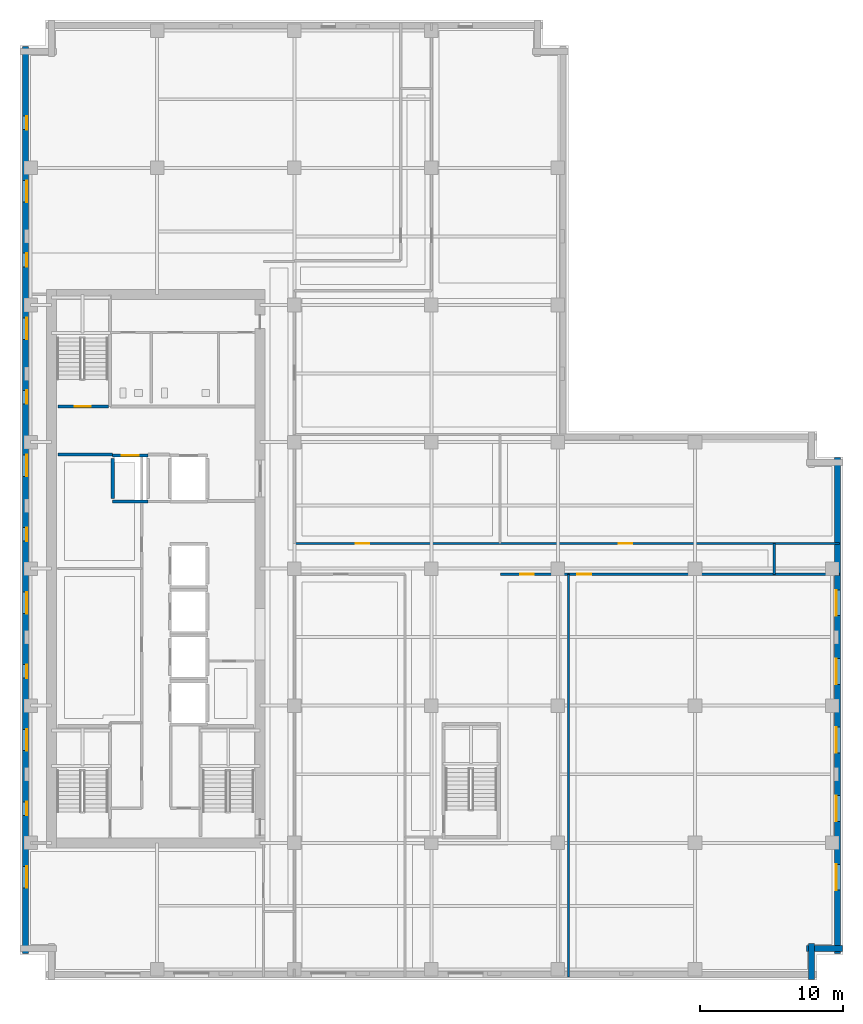
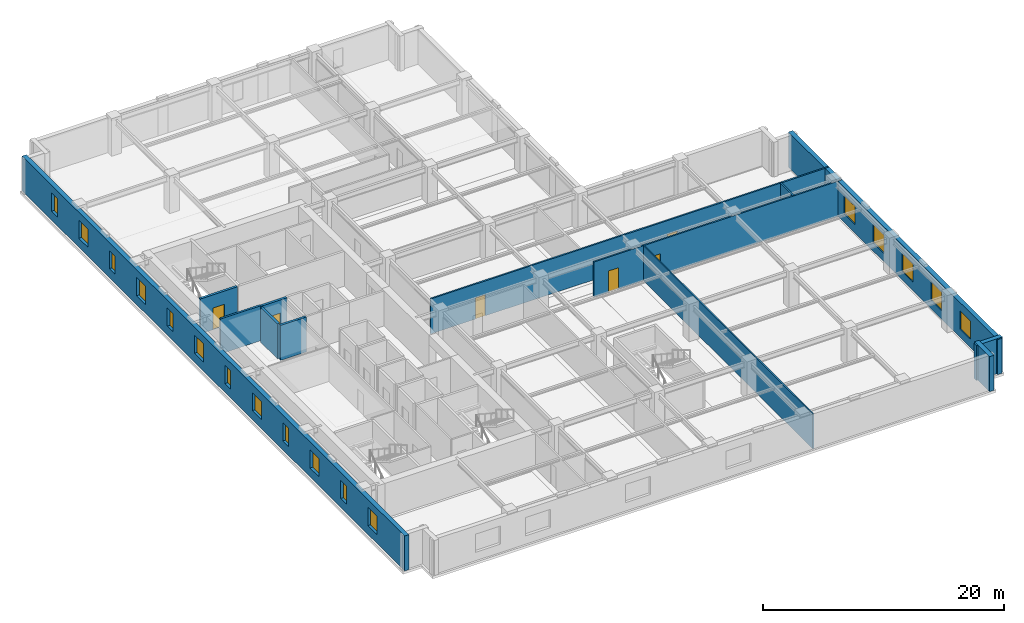
# One storey, part 5 of 12: 17 windows, 13 walls, 6 doors, 23 openings.
"""IFC4 building model written with IfcOpenShell, lengths in metres."""

from ifc_helpers import new_model, si_unit, direction, frame, frame_2d, origin, place, context, subcontext, project, spatial, rectangle, extrude, material, layer, layer_set, type_object, element, fill, save


model = new_model("IFC4")

# Units and contexts
model_context = context("Model", 3, precision=1e-05, world=origin(), true_north=direction((0.0, 1.0)))
body_context = subcontext(model_context, "Body", "Model", "MODEL_VIEW")
ifc_project = project(units=[si_unit("LENGTHUNIT", "METRE"), si_unit("AREAUNIT", "SQUARE_METRE"), si_unit("VOLUMEUNIT", "CUBIC_METRE"), si_unit("PLANEANGLEUNIT", "RADIAN"), si_unit("MASSUNIT", "GRAM", prefix="KILO")], contexts=[model_context])

# Site, building, storey
site_placement = place(None, origin())
site = spatial("IfcSite", under=ifc_project, at=site_placement, CompositionType="ELEMENT")
building_placement = place(site_placement, origin())
building = spatial("IfcBuilding", under=site, at=building_placement, Name="Norrvale University Quadrangle", CompositionType="ELEMENT")
storey_placement = place(building_placement, frame((0.0, 0.0, 186.39990234375)))
storey = spatial("IfcBuildingStorey", under=building, at=storey_placement, Name="L47", CompositionType="ELEMENT", Elevation=186.39990234375)

# Walls
ifc_material_1 = material(Name="Buff Norman Clay Brick Masonry", Category="masonry")
ifc_layer_1 = layer(ifc_material_1, 0.419921875, Name="Buff Norman Clay Brick Masonry")
ifc_layer_set_1 = layer_set([ifc_layer_1], Name="Buff Norman Clay Brick Masonry")
wall_type_1 = type_object("IfcWallType", Name="Wall Buff Brick 420", PredefinedType="SOLIDWALL", material=ifc_layer_set_1)
for number, where, z_axis, x_axis, name in (
    (1, (55.409912109375, 0.0400390625, 0.0), (0.0, 0.0, 1.0), (0.0, 1.0, 0.0), "Exterior Brick Facade Wall L47-02.1"),
    (2, (55.06005859375, 2.18994140625, 0.0), (0.0, 0.0, 1.0), (1.0, 0.0, 0.0), "Exterior Brick Facade Wall L47-03.1"),
):
    element("IfcWall", number, at=place(storey_placement, frame(where, z_axis=z_axis, x_axis=x_axis)), inside=storey, type_object=wall_type_1, Name=name, PredefinedType="SOLIDWALL", context=body_context, shape_type="SweptSolid", body=[
        extrude(rectangle(XDim=2.5, YDim=0.419921875, at=frame_2d((1.25, 0.0))), origin(), (0.0, 0.0, 1.0), 3.5400390625),
    ])

# Wall, openings, windows
wall_1_placement = place(storey_placement, frame((57.2099609375, 1.840087890625, 0.0), z_axis=(0.0, 0.0, 1.0), x_axis=(0.0, 1.0, 0.0)))
wall_1 = element("IfcWall", 3, at=wall_1_placement, inside=storey, type_object=wall_type_1, Name="Exterior Brick Facade Wall L47-04.1", PredefinedType="SOLIDWALL", context=body_context, shape_type="SweptSolid", body=[
    extrude(rectangle(XDim=34.719970703125, YDim=0.419921875, at=frame_2d((17.35986328125, 0.0))), origin(), (0.0, 0.0, 1.0), 3.5400390625),
])
opening_1_placement = place(wall_1_placement, frame((4.4599609375, 0.0, 0.85009765625)))
opening_1 = element("IfcOpeningElement", 4, at=opening_1_placement, cuts=wall_1, Name="Opening W01", PredefinedType="OPENING", context=body_context, shape_type="SweptSolid", body=[
    extrude(rectangle(XDim=1.800048828125, YDim=1.85009765625, at=frame_2d((0.89990234375, 0.925048828125))), frame((0.0, 0.221923828125, 0.0), z_axis=(0.0, -1.0, 0.0), x_axis=(1.0, 0.0, 0.0)), (0.0, 0.0, 1.0), 0.44384765625),
])
opening_2_placement = place(wall_1_placement, frame((9.260009765625, 0.0, 0.85009765625)))
opening_2 = element("IfcOpeningElement", 5, at=opening_2_placement, cuts=wall_1, Name="Opening W01", PredefinedType="OPENING", context=body_context, shape_type="SweptSolid", body=[
    extrude(rectangle(XDim=1.800048828125, YDim=1.85009765625, at=frame_2d((0.89990234375, 0.925048828125))), frame((0.0, 0.221923828125, 0.0), z_axis=(0.0, -1.0, 0.0), x_axis=(1.0, 0.0, 0.0)), (0.0, 0.0, 1.0), 0.44384765625),
])
opening_3_placement = place(wall_1_placement, frame((14.06005859375, 0.0, 0.85009765625)))
opening_3 = element("IfcOpeningElement", 6, at=opening_3_placement, cuts=wall_1, Name="Opening W01", PredefinedType="OPENING", context=body_context, shape_type="SweptSolid", body=[
    extrude(rectangle(XDim=1.800048828125, YDim=1.85009765625, at=frame_2d((0.89990234375, 0.925048828125))), frame((0.0, 0.221923828125, 0.0), z_axis=(0.0, -1.0, 0.0), x_axis=(1.0, 0.0, 0.0)), (0.0, 0.0, 1.0), 0.44384765625),
])
opening_4_placement = place(wall_1_placement, frame((18.860107421875, 0.0, 0.85009765625)))
opening_4 = element("IfcOpeningElement", 7, at=opening_4_placement, cuts=wall_1, Name="Opening W01", PredefinedType="OPENING", context=body_context, shape_type="SweptSolid", body=[
    extrude(rectangle(XDim=1.800048828125, YDim=1.85009765625, at=frame_2d((0.89990234375, 0.925048828125))), frame((0.0, 0.221923828125, 0.0), z_axis=(0.0, -1.0, 0.0), x_axis=(1.0, 0.0, 0.0)), (0.0, 0.0, 1.0), 0.44384765625),
])
opening_5_placement = place(wall_1_placement, frame((23.659912109375, 0.0, 0.85009765625)))
opening_5 = element("IfcOpeningElement", 8, at=opening_5_placement, cuts=wall_1, Name="Opening W01", PredefinedType="OPENING", context=body_context, shape_type="SweptSolid", body=[
    extrude(rectangle(XDim=1.800048828125, YDim=1.85009765625, at=frame_2d((0.89990234375, 0.925048828125))), frame((0.0, 0.221923828125, 0.0), z_axis=(0.0, -1.0, 0.0), x_axis=(1.0, 0.0, 0.0)), (0.0, 0.0, 1.0), 0.44384765625),
])
ifc_material_2 = material(Name="Triple Low-E Argon Glazing", Category="glass")
window_type_1 = type_object("IfcWindowType", Name="Window Academic 1800x2300", PartitioningType="DOUBLE_PANEL_VERTICAL", PredefinedType="WINDOW", material=ifc_material_2)
window_1_placement = place(opening_1_placement, origin())
window_1 = element("IfcWindow", 9, at=window_1_placement, inside=storey, type_object=window_type_1, Name="Window Academic 1800x2300 WIN-L47-E04-1-01", OverallHeight=1.85009765625, OverallWidth=1.800048828125, PartitioningType="DOUBLE_PANEL_VERTICAL", PredefinedType="WINDOW", context=body_context, shape_type="SweptSolid", body=[
    extrude(rectangle(XDim=1.800048828125, YDim=1.85009765625, at=frame_2d((0.89990234375, 0.925048828125))), frame((0.0, 0.110107421875, 0.0), z_axis=(0.0, -1.0, 0.0), x_axis=(1.0, 0.0, 0.0)), (0.0, 0.0, 1.0), 0.06005859375),
])
fill(opening_1, window_1)
window_2_placement = place(opening_2_placement, origin())
window_2 = element("IfcWindow", 10, at=window_2_placement, inside=storey, type_object=window_type_1, Name="Window Academic 1800x2300 WIN-L47-E04-1-02", OverallHeight=1.85009765625, OverallWidth=1.800048828125, PartitioningType="DOUBLE_PANEL_VERTICAL", PredefinedType="WINDOW", context=body_context, shape_type="SweptSolid", body=[
    extrude(rectangle(XDim=1.800048828125, YDim=1.85009765625, at=frame_2d((0.89990234375, 0.925048828125))), frame((0.0, 0.110107421875, 0.0), z_axis=(0.0, -1.0, 0.0), x_axis=(1.0, 0.0, 0.0)), (0.0, 0.0, 1.0), 0.06005859375),
])
fill(opening_2, window_2)
window_3_placement = place(opening_3_placement, origin())
window_3 = element("IfcWindow", 11, at=window_3_placement, inside=storey, type_object=window_type_1, Name="Window Academic 1800x2300 WIN-L47-E04-1-03", OverallHeight=1.85009765625, OverallWidth=1.800048828125, PartitioningType="DOUBLE_PANEL_VERTICAL", PredefinedType="WINDOW", context=body_context, shape_type="SweptSolid", body=[
    extrude(rectangle(XDim=1.800048828125, YDim=1.85009765625, at=frame_2d((0.89990234375, 0.925048828125))), frame((0.0, 0.110107421875, 0.0), z_axis=(0.0, -1.0, 0.0), x_axis=(1.0, 0.0, 0.0)), (0.0, 0.0, 1.0), 0.06005859375),
])
fill(opening_3, window_3)
window_4_placement = place(opening_4_placement, origin())
window_4 = element("IfcWindow", 12, at=window_4_placement, inside=storey, type_object=window_type_1, Name="Window Academic 1800x2300 WIN-L47-E04-1-04", OverallHeight=1.85009765625, OverallWidth=1.800048828125, PartitioningType="DOUBLE_PANEL_VERTICAL", PredefinedType="WINDOW", context=body_context, shape_type="SweptSolid", body=[
    extrude(rectangle(XDim=1.800048828125, YDim=1.85009765625, at=frame_2d((0.89990234375, 0.925048828125))), frame((0.0, 0.110107421875, 0.0), z_axis=(0.0, -1.0, 0.0), x_axis=(1.0, 0.0, 0.0)), (0.0, 0.0, 1.0), 0.06005859375),
])
fill(opening_4, window_4)
window_5_placement = place(opening_5_placement, origin())
window_5 = element("IfcWindow", 13, at=window_5_placement, inside=storey, type_object=window_type_1, Name="Window Academic 1800x2300 WIN-L47-E04-1-05", OverallHeight=1.85009765625, OverallWidth=1.800048828125, PartitioningType="DOUBLE_PANEL_VERTICAL", PredefinedType="WINDOW", context=body_context, shape_type="SweptSolid", body=[
    extrude(rectangle(XDim=1.800048828125, YDim=1.85009765625, at=frame_2d((0.89990234375, 0.925048828125))), frame((0.0, 0.110107421875, 0.0), z_axis=(0.0, -1.0, 0.0), x_axis=(1.0, 0.0, 0.0)), (0.0, 0.0, 1.0), 0.06005859375),
])
fill(opening_5, window_5)

wall_2_placement = place(storey_placement, frame((0.389892578125, 65.360107421875, 0.0), z_axis=(0.0, 0.0, 1.0), x_axis=(0.0, -1.0, 0.0)))
wall_2 = element("IfcWall", 14, at=wall_2_placement, inside=storey, type_object=wall_type_1, Name="Exterior Brick Facade Wall L47-14.1", PredefinedType="SOLIDWALL", context=body_context, shape_type="SweptSolid", body=[
    extrude(rectangle(XDim=63.52001953125, YDim=0.419921875, at=frame_2d((31.760009765625, 0.0))), origin(), (0.0, 0.0, 1.0), 3.5400390625),
])
opening_6_placement = place(wall_2_placement, frame((4.885009765625, 0.0, 0.89990234375)))
opening_6 = element("IfcOpeningElement", 15, at=opening_6_placement, cuts=wall_2, Name="Opening W04", PredefinedType="OPENING", context=body_context, shape_type="SweptSolid", body=[
    extrude(rectangle(XDim=0.949951171875, YDim=1.85009765625, at=frame_2d((0.47509765625, 0.925048828125))), frame((0.0, 0.221923828125, 0.0), z_axis=(0.0, -1.0, 0.0), x_axis=(1.0, 0.0, 0.0)), (0.0, 0.0, 1.0), 0.44384765625),
])
opening_7_placement = place(wall_2_placement, frame((9.409912109375, 0.0, 0.89990234375)))
opening_7 = element("IfcOpeningElement", 16, at=opening_7_placement, cuts=wall_2, Name="Opening W03", PredefinedType="OPENING", context=body_context, shape_type="SweptSolid", body=[
    extrude(rectangle(XDim=1.5, YDim=1.85009765625, at=frame_2d((0.75, 0.925048828125))), frame((0.0, 0.221923828125, 0.0), z_axis=(0.0, -1.0, 0.0), x_axis=(1.0, 0.0, 0.0)), (0.0, 0.0, 1.0), 0.44384765625),
])
opening_8_placement = place(wall_2_placement, frame((14.485107421875, 0.0, 0.89990234375)))
opening_8 = element("IfcOpeningElement", 17, at=opening_8_placement, cuts=wall_2, Name="Opening W04", PredefinedType="OPENING", context=body_context, shape_type="SweptSolid", body=[
    extrude(rectangle(XDim=0.949951171875, YDim=1.85009765625, at=frame_2d((0.47509765625, 0.925048828125))), frame((0.0, 0.221923828125, 0.0), z_axis=(0.0, -1.0, 0.0), x_axis=(1.0, 0.0, 0.0)), (0.0, 0.0, 1.0), 0.44384765625),
])
opening_9_placement = place(wall_2_placement, frame((19.010009765625, 0.0, 0.89990234375)))
opening_9 = element("IfcOpeningElement", 18, at=opening_9_placement, cuts=wall_2, Name="Opening W03", PredefinedType="OPENING", context=body_context, shape_type="SweptSolid", body=[
    extrude(rectangle(XDim=1.5, YDim=1.85009765625, at=frame_2d((0.75, 0.925048828125))), frame((0.0, 0.221923828125, 0.0), z_axis=(0.0, -1.0, 0.0), x_axis=(1.0, 0.0, 0.0)), (0.0, 0.0, 1.0), 0.44384765625),
])
opening_10_placement = place(wall_2_placement, frame((24.0849609375, 0.0, 0.89990234375)))
opening_10 = element("IfcOpeningElement", 19, at=opening_10_placement, cuts=wall_2, Name="Opening W04", PredefinedType="OPENING", context=body_context, shape_type="SweptSolid", body=[
    extrude(rectangle(XDim=0.949951171875, YDim=1.85009765625, at=frame_2d((0.47509765625, 0.925048828125))), frame((0.0, 0.221923828125, 0.0), z_axis=(0.0, -1.0, 0.0), x_axis=(1.0, 0.0, 0.0)), (0.0, 0.0, 1.0), 0.44384765625),
])
opening_11_placement = place(wall_2_placement, frame((28.610107421875, 0.0, 0.89990234375)))
opening_11 = element("IfcOpeningElement", 20, at=opening_11_placement, cuts=wall_2, Name="Opening W03", PredefinedType="OPENING", context=body_context, shape_type="SweptSolid", body=[
    extrude(rectangle(XDim=1.5, YDim=1.85009765625, at=frame_2d((0.75, 0.925048828125))), frame((0.0, 0.221923828125, 0.0), z_axis=(0.0, -1.0, 0.0), x_axis=(1.0, 0.0, 0.0)), (0.0, 0.0, 1.0), 0.44384765625),
])
opening_12_placement = place(wall_2_placement, frame((33.68505859375, 0.0, 0.89990234375)))
opening_12 = element("IfcOpeningElement", 21, at=opening_12_placement, cuts=wall_2, Name="Opening W04", PredefinedType="OPENING", context=body_context, shape_type="SweptSolid", body=[
    extrude(rectangle(XDim=0.949951171875, YDim=1.85009765625, at=frame_2d((0.47509765625, 0.925048828125))), frame((0.0, 0.221923828125, 0.0), z_axis=(0.0, -1.0, 0.0), x_axis=(1.0, 0.0, 0.0)), (0.0, 0.0, 1.0), 0.44384765625),
])
opening_13_placement = place(wall_2_placement, frame((38.2099609375, 0.0, 0.89990234375)))
opening_13 = element("IfcOpeningElement", 22, at=opening_13_placement, cuts=wall_2, Name="Opening W03", PredefinedType="OPENING", context=body_context, shape_type="SweptSolid", body=[
    extrude(rectangle(XDim=1.5, YDim=1.85009765625, at=frame_2d((0.75, 0.925048828125))), frame((0.0, 0.221923828125, 0.0), z_axis=(0.0, -1.0, 0.0), x_axis=(1.0, 0.0, 0.0)), (0.0, 0.0, 1.0), 0.44384765625),
])
opening_14_placement = place(wall_2_placement, frame((43.284912109375, 0.0, 0.89990234375)))
opening_14 = element("IfcOpeningElement", 23, at=opening_14_placement, cuts=wall_2, Name="Opening W04", PredefinedType="OPENING", context=body_context, shape_type="SweptSolid", body=[
    extrude(rectangle(XDim=0.949951171875, YDim=1.85009765625, at=frame_2d((0.47509765625, 0.925048828125))), frame((0.0, 0.221923828125, 0.0), z_axis=(0.0, -1.0, 0.0), x_axis=(1.0, 0.0, 0.0)), (0.0, 0.0, 1.0), 0.44384765625),
])
opening_15_placement = place(wall_2_placement, frame((47.81005859375, 0.0, 0.89990234375)))
opening_15 = element("IfcOpeningElement", 24, at=opening_15_placement, cuts=wall_2, Name="Opening W03", PredefinedType="OPENING", context=body_context, shape_type="SweptSolid", body=[
    extrude(rectangle(XDim=1.5, YDim=1.85009765625, at=frame_2d((0.75, 0.925048828125))), frame((0.0, 0.221923828125, 0.0), z_axis=(0.0, -1.0, 0.0), x_axis=(1.0, 0.0, 0.0)), (0.0, 0.0, 1.0), 0.44384765625),
])
opening_16_placement = place(wall_2_placement, frame((52.885009765625, 0.0, 0.89990234375)))
opening_16 = element("IfcOpeningElement", 25, at=opening_16_placement, cuts=wall_2, Name="Opening W04", PredefinedType="OPENING", context=body_context, shape_type="SweptSolid", body=[
    extrude(rectangle(XDim=0.949951171875, YDim=1.85009765625, at=frame_2d((0.47509765625, 0.925048828125))), frame((0.0, 0.221923828125, 0.0), z_axis=(0.0, -1.0, 0.0), x_axis=(1.0, 0.0, 0.0)), (0.0, 0.0, 1.0), 0.44384765625),
])
opening_17_placement = place(wall_2_placement, frame((57.409912109375, 0.0, 0.89990234375)))
opening_17 = element("IfcOpeningElement", 26, at=opening_17_placement, cuts=wall_2, Name="Opening W03", PredefinedType="OPENING", context=body_context, shape_type="SweptSolid", body=[
    extrude(rectangle(XDim=1.5, YDim=1.85009765625, at=frame_2d((0.75, 0.925048828125))), frame((0.0, 0.221923828125, 0.0), z_axis=(0.0, -1.0, 0.0), x_axis=(1.0, 0.0, 0.0)), (0.0, 0.0, 1.0), 0.44384765625),
])
window_type_2 = type_object("IfcWindowType", Name="Window Narrow Pier 950x2300", PartitioningType="SINGLE_PANEL", PredefinedType="WINDOW", material=ifc_material_2)
window_6_placement = place(opening_6_placement, origin())
window_6 = element("IfcWindow", 27, at=window_6_placement, inside=storey, type_object=window_type_2, Name="Window Narrow Pier 950x2300 WIN-L47-E14-1-01", OverallHeight=1.85009765625, OverallWidth=0.949951171875, PartitioningType="SINGLE_PANEL", PredefinedType="WINDOW", context=body_context, shape_type="SweptSolid", body=[
    extrude(rectangle(XDim=0.949951171875, YDim=1.85009765625, at=frame_2d((0.47509765625, 0.925048828125))), frame((0.0, 0.110107421875, 0.0), z_axis=(0.0, -1.0, 0.0), x_axis=(1.0, 0.0, 0.0)), (0.0, 0.0, 1.0), 0.06005859375),
])
fill(opening_6, window_6)
window_7_placement = place(opening_8_placement, origin())
window_7 = element("IfcWindow", 28, at=window_7_placement, inside=storey, type_object=window_type_2, Name="Window Narrow Pier 950x2300 WIN-L47-E14-1-03", OverallHeight=1.85009765625, OverallWidth=0.949951171875, PartitioningType="SINGLE_PANEL", PredefinedType="WINDOW", context=body_context, shape_type="SweptSolid", body=[
    extrude(rectangle(XDim=0.949951171875, YDim=1.85009765625, at=frame_2d((0.47509765625, 0.925048828125))), frame((0.0, 0.110107421875, 0.0), z_axis=(0.0, -1.0, 0.0), x_axis=(1.0, 0.0, 0.0)), (0.0, 0.0, 1.0), 0.06005859375),
])
fill(opening_8, window_7)
window_8_placement = place(opening_10_placement, origin())
window_8 = element("IfcWindow", 29, at=window_8_placement, inside=storey, type_object=window_type_2, Name="Window Narrow Pier 950x2300 WIN-L47-E14-1-05", OverallHeight=1.85009765625, OverallWidth=0.949951171875, PartitioningType="SINGLE_PANEL", PredefinedType="WINDOW", context=body_context, shape_type="SweptSolid", body=[
    extrude(rectangle(XDim=0.949951171875, YDim=1.85009765625, at=frame_2d((0.47509765625, 0.925048828125))), frame((0.0, 0.110107421875, 0.0), z_axis=(0.0, -1.0, 0.0), x_axis=(1.0, 0.0, 0.0)), (0.0, 0.0, 1.0), 0.06005859375),
])
fill(opening_10, window_8)
window_9_placement = place(opening_12_placement, origin())
window_9 = element("IfcWindow", 30, at=window_9_placement, inside=storey, type_object=window_type_2, Name="Window Narrow Pier 950x2300 WIN-L47-E14-1-07", OverallHeight=1.85009765625, OverallWidth=0.949951171875, PartitioningType="SINGLE_PANEL", PredefinedType="WINDOW", context=body_context, shape_type="SweptSolid", body=[
    extrude(rectangle(XDim=0.949951171875, YDim=1.85009765625, at=frame_2d((0.47509765625, 0.925048828125))), frame((0.0, 0.110107421875, 0.0), z_axis=(0.0, -1.0, 0.0), x_axis=(1.0, 0.0, 0.0)), (0.0, 0.0, 1.0), 0.06005859375),
])
fill(opening_12, window_9)
window_10_placement = place(opening_14_placement, origin())
window_10 = element("IfcWindow", 31, at=window_10_placement, inside=storey, type_object=window_type_2, Name="Window Narrow Pier 950x2300 WIN-L47-E14-1-09", OverallHeight=1.85009765625, OverallWidth=0.949951171875, PartitioningType="SINGLE_PANEL", PredefinedType="WINDOW", context=body_context, shape_type="SweptSolid", body=[
    extrude(rectangle(XDim=0.949951171875, YDim=1.85009765625, at=frame_2d((0.47509765625, 0.925048828125))), frame((0.0, 0.110107421875, 0.0), z_axis=(0.0, -1.0, 0.0), x_axis=(1.0, 0.0, 0.0)), (0.0, 0.0, 1.0), 0.06005859375),
])
fill(opening_14, window_10)
window_11_placement = place(opening_16_placement, origin())
window_11 = element("IfcWindow", 32, at=window_11_placement, inside=storey, type_object=window_type_2, Name="Window Narrow Pier 950x2300 WIN-L47-E14-1-11", OverallHeight=1.85009765625, OverallWidth=0.949951171875, PartitioningType="SINGLE_PANEL", PredefinedType="WINDOW", context=body_context, shape_type="SweptSolid", body=[
    extrude(rectangle(XDim=0.949951171875, YDim=1.85009765625, at=frame_2d((0.47509765625, 0.925048828125))), frame((0.0, 0.110107421875, 0.0), z_axis=(0.0, -1.0, 0.0), x_axis=(1.0, 0.0, 0.0)), (0.0, 0.0, 1.0), 0.06005859375),
])
fill(opening_16, window_11)
window_type_3 = type_object("IfcWindowType", Name="Window Studio 1500x2300", PartitioningType="DOUBLE_PANEL_VERTICAL", PredefinedType="WINDOW", material=ifc_material_2)
window_12_placement = place(opening_7_placement, origin())
window_12 = element("IfcWindow", 33, at=window_12_placement, inside=storey, type_object=window_type_3, Name="Window Studio 1500x2300 WIN-L47-E14-1-02", OverallHeight=1.85009765625, OverallWidth=1.5, PartitioningType="DOUBLE_PANEL_VERTICAL", PredefinedType="WINDOW", context=body_context, shape_type="SweptSolid", body=[
    extrude(rectangle(XDim=1.5, YDim=1.85009765625, at=frame_2d((0.75, 0.925048828125))), frame((0.0, 0.110107421875, 0.0), z_axis=(0.0, -1.0, 0.0), x_axis=(1.0, 0.0, 0.0)), (0.0, 0.0, 1.0), 0.06005859375),
])
fill(opening_7, window_12)
window_13_placement = place(opening_9_placement, origin())
window_13 = element("IfcWindow", 34, at=window_13_placement, inside=storey, type_object=window_type_3, Name="Window Studio 1500x2300 WIN-L47-E14-1-04", OverallHeight=1.85009765625, OverallWidth=1.5, PartitioningType="DOUBLE_PANEL_VERTICAL", PredefinedType="WINDOW", context=body_context, shape_type="SweptSolid", body=[
    extrude(rectangle(XDim=1.5, YDim=1.85009765625, at=frame_2d((0.75, 0.925048828125))), frame((0.0, 0.110107421875, 0.0), z_axis=(0.0, -1.0, 0.0), x_axis=(1.0, 0.0, 0.0)), (0.0, 0.0, 1.0), 0.06005859375),
])
fill(opening_9, window_13)
window_14_placement = place(opening_11_placement, origin())
window_14 = element("IfcWindow", 35, at=window_14_placement, inside=storey, type_object=window_type_3, Name="Window Studio 1500x2300 WIN-L47-E14-1-06", OverallHeight=1.85009765625, OverallWidth=1.5, PartitioningType="DOUBLE_PANEL_VERTICAL", PredefinedType="WINDOW", context=body_context, shape_type="SweptSolid", body=[
    extrude(rectangle(XDim=1.5, YDim=1.85009765625, at=frame_2d((0.75, 0.925048828125))), frame((0.0, 0.110107421875, 0.0), z_axis=(0.0, -1.0, 0.0), x_axis=(1.0, 0.0, 0.0)), (0.0, 0.0, 1.0), 0.06005859375),
])
fill(opening_11, window_14)
window_15_placement = place(opening_13_placement, origin())
window_15 = element("IfcWindow", 36, at=window_15_placement, inside=storey, type_object=window_type_3, Name="Window Studio 1500x2300 WIN-L47-E14-1-08", OverallHeight=1.85009765625, OverallWidth=1.5, PartitioningType="DOUBLE_PANEL_VERTICAL", PredefinedType="WINDOW", context=body_context, shape_type="SweptSolid", body=[
    extrude(rectangle(XDim=1.5, YDim=1.85009765625, at=frame_2d((0.75, 0.925048828125))), frame((0.0, 0.110107421875, 0.0), z_axis=(0.0, -1.0, 0.0), x_axis=(1.0, 0.0, 0.0)), (0.0, 0.0, 1.0), 0.06005859375),
])
fill(opening_13, window_15)
window_16_placement = place(opening_15_placement, origin())
window_16 = element("IfcWindow", 37, at=window_16_placement, inside=storey, type_object=window_type_3, Name="Window Studio 1500x2300 WIN-L47-E14-1-10", OverallHeight=1.85009765625, OverallWidth=1.5, PartitioningType="DOUBLE_PANEL_VERTICAL", PredefinedType="WINDOW", context=body_context, shape_type="SweptSolid", body=[
    extrude(rectangle(XDim=1.5, YDim=1.85009765625, at=frame_2d((0.75, 0.925048828125))), frame((0.0, 0.110107421875, 0.0), z_axis=(0.0, -1.0, 0.0), x_axis=(1.0, 0.0, 0.0)), (0.0, 0.0, 1.0), 0.06005859375),
])
fill(opening_15, window_16)
window_17_placement = place(opening_17_placement, origin())
window_17 = element("IfcWindow", 38, at=window_17_placement, inside=storey, type_object=window_type_3, Name="Window Studio 1500x2300 WIN-L47-E14-1-12", OverallHeight=1.85009765625, OverallWidth=1.5, PartitioningType="DOUBLE_PANEL_VERTICAL", PredefinedType="WINDOW", context=body_context, shape_type="SweptSolid", body=[
    extrude(rectangle(XDim=1.5, YDim=1.85009765625, at=frame_2d((0.75, 0.925048828125))), frame((0.0, 0.110107421875, 0.0), z_axis=(0.0, -1.0, 0.0), x_axis=(1.0, 0.0, 0.0)), (0.0, 0.0, 1.0), 0.06005859375),
])
fill(opening_17, window_17)

# Walls
ifc_material_3 = material(Name="Standard Academic Gypsum Partition")
ifc_layer_2 = layer(ifc_material_3, 0.125, Name="Standard Academic Gypsum Partition")
ifc_layer_set_2 = layer_set([ifc_layer_2], Name="Standard Academic Gypsum Partition")
wall_type_2 = type_object("IfcWallType", Name="Wall Gypsum Academic 125", PredefinedType="PARTITIONING", material=ifc_layer_set_2)
wall_3_placement = place(storey_placement, frame((38.39990234375, 0.219970703125, 0.0), z_axis=(0.0, 0.0, 1.0), x_axis=(0.0, 1.0, 0.0)))
element("IfcWall", 39, at=wall_3_placement, inside=storey, type_object=wall_type_2, Name="Interior Partition WL-L47-SEP2", PredefinedType="PARTITIONING", context=body_context, shape_type="SweptSolid", body=[
    extrude(rectangle(XDim=28.179931640625, YDim=0.125, at=frame_2d((14.08984375, 0.0))), origin(), (0.0, 0.0, 1.0), 3.5400390625),
])
ifc_material_4 = material(Name="Fire-Rated Gypsum Stud Partition")
ifc_layer_3 = layer(ifc_material_4, 0.14990234375, Name="Fire-Rated Gypsum Stud Partition")
ifc_layer_set_3 = layer_set([ifc_layer_3], Name="Fire-Rated Gypsum Stud Partition")
wall_type_3 = type_object("IfcWallType", Name="Wall Gypsum Corridor 150", PredefinedType="PARTITIONING", material=ifc_layer_set_3)
wall_4_placement = place(storey_placement, frame((52.800048828125, 28.39990234375, 0.0), z_axis=(0.0, 0.0, 1.0), x_axis=(0.0, 1.0, 0.0)))
element("IfcWall", 40, at=wall_4_placement, inside=storey, type_object=wall_type_3, Name="Interior Partition WL-L47-CESP-E", PredefinedType="PARTITIONING", context=body_context, shape_type="SweptSolid", body=[
    extrude(rectangle(XDim=2.150146484375, YDim=0.14990234375, at=frame_2d((1.0751953125, 0.0))), origin(), (0.0, 0.0, 1.0), 3.5400390625),
])

# Wall, openings, doors
wall_5_placement = place(storey_placement, frame((33.6201171875, 28.39990234375, 0.0), z_axis=(0.0, 0.0, 1.0), x_axis=(1.0, 0.0, 0.0)))
wall_5 = element("IfcWall", 41, at=wall_5_placement, inside=storey, type_object=wall_type_3, Name="Interior Partition WL-L47-SEW2", PredefinedType="PARTITIONING", context=body_context, shape_type="SweptSolid", body=[
    extrude(rectangle(XDim=23.759765625, YDim=0.14990234375, at=frame_2d((11.8798828125, 0.0))), origin(), (0.0, 0.0, 1.0), 3.5400390625),
])
opening_18_placement = place(wall_5_placement, frame((1.39990234375, 0.0, 0.0)))
opening_18 = element("IfcOpeningElement", 42, at=opening_18_placement, cuts=wall_5, Name="Opening D07", PredefinedType="OPENING", context=body_context, shape_type="SweptSolid", body=[
    extrude(rectangle(XDim=0.949951171875, YDim=2.14990234375, at=frame_2d((0.47509765625, 1.074951171875))), frame((0.0, 0.0869140625, 0.0), z_axis=(0.0, -1.0, 0.0), x_axis=(1.0, 0.0, 0.0)), (0.0, 0.0, 1.0), 0.173828125),
])
opening_19_placement = place(wall_5_placement, frame((5.39990234375, 0.0, 0.0)))
opening_19 = element("IfcOpeningElement", 43, at=opening_19_placement, cuts=wall_5, Name="Opening D07", PredefinedType="OPENING", context=body_context, shape_type="SweptSolid", body=[
    extrude(rectangle(XDim=0.949951171875, YDim=2.14990234375, at=frame_2d((0.47509765625, 1.074951171875))), frame((0.0, 0.0869140625, 0.0), z_axis=(0.0, -1.0, 0.0), x_axis=(1.0, 0.0, 0.0)), (0.0, 0.0, 1.0), 0.173828125),
])
ifc_material_5 = material(Name="Solid-Core Maple Door", Category="wood")
door_type_1 = type_object("IfcDoorType", Name="Door Office 950x2150", OperationType="NOTDEFINED", PredefinedType="DOOR", material=ifc_material_5)
door_1_placement = place(opening_18_placement, origin())
door_1 = element("IfcDoor", 44, at=door_1_placement, inside=storey, type_object=door_type_1, Name="Door Office 950x2150 DR-L47-SE2", OperationType="SINGLE_SWING_RIGHT", OverallHeight=2.14990234375, OverallWidth=0.949951171875, PredefinedType="DOOR", context=body_context, shape_type="SweptSolid", body=[
    extrude(rectangle(XDim=0.949951171875, YDim=2.14990234375, at=frame_2d((0.47509765625, 1.074951171875))), frame((0.0, 0.02490234375, 0.0), z_axis=(0.0, -1.0, 0.0), x_axis=(1.0, 0.0, 0.0)), (0.0, 0.0, 1.0), 0.050048828125),
])
fill(opening_18, door_1)
door_2_placement = place(opening_19_placement, origin())
door_2 = element("IfcDoor", 45, at=door_2_placement, inside=storey, type_object=door_type_1, Name="Door Office 950x2150 DR-L47-SE3", OperationType="SINGLE_SWING_LEFT", OverallHeight=2.14990234375, OverallWidth=0.949951171875, PredefinedType="DOOR", context=body_context, shape_type="SweptSolid", body=[
    extrude(rectangle(XDim=0.949951171875, YDim=2.14990234375, at=frame_2d((0.47509765625, 1.074951171875))), frame((0.0, 0.02490234375, 0.0), z_axis=(0.0, -1.0, 0.0), x_axis=(1.0, 0.0, 0.0)), (0.0, 0.0, 1.0), 0.050048828125),
])
fill(opening_19, door_2)

wall_6_placement = place(storey_placement, frame((19.199951171875, 30.550048828125, 0.0), z_axis=(0.0, 0.0, 1.0), x_axis=(1.0, 0.0, 0.0)))
wall_6 = element("IfcWall", 46, at=wall_6_placement, inside=storey, type_object=wall_type_3, Name="Interior Partition WL-L47-MECW", PredefinedType="PARTITIONING", context=body_context, shape_type="SweptSolid", body=[
    extrude(rectangle(XDim=38.179931640625, YDim=0.14990234375, at=frame_2d((19.08984375, 0.0))), origin(), (0.0, 0.0, 1.0), 3.5400390625),
])
opening_20_placement = place(wall_6_placement, frame((4.300048828125, 0.0, 0.0)))
opening_20 = element("IfcOpeningElement", 47, at=opening_20_placement, cuts=wall_6, Name="Opening D07", PredefinedType="OPENING", context=body_context, shape_type="SweptSolid", body=[
    extrude(rectangle(XDim=0.949951171875, YDim=2.14990234375, at=frame_2d((0.47509765625, 1.074951171875))), frame((0.0, 0.0869140625, 0.0), z_axis=(0.0, -1.0, 0.0), x_axis=(1.0, 0.0, 0.0)), (0.0, 0.0, 1.0), 0.173828125),
])
opening_21_placement = place(wall_6_placement, frame((22.699951171875, 0.0, 0.0)))
opening_21 = element("IfcOpeningElement", 48, at=opening_21_placement, cuts=wall_6, Name="Opening D07", PredefinedType="OPENING", context=body_context, shape_type="SweptSolid", body=[
    extrude(rectangle(XDim=0.949951171875, YDim=2.14990234375, at=frame_2d((0.47509765625, 1.074951171875))), frame((0.0, 0.0869140625, 0.0), z_axis=(0.0, -1.0, 0.0), x_axis=(1.0, 0.0, 0.0)), (0.0, 0.0, 1.0), 0.173828125),
])
door_3_placement = place(opening_20_placement, origin())
door_3 = element("IfcDoor", 49, at=door_3_placement, inside=storey, type_object=door_type_1, Name="Door Office 950x2150 DR-L47-ME01", OperationType="SINGLE_SWING_LEFT", OverallHeight=2.14990234375, OverallWidth=0.949951171875, PredefinedType="DOOR", context=body_context, shape_type="SweptSolid", body=[
    extrude(rectangle(XDim=0.949951171875, YDim=2.14990234375, at=frame_2d((0.47509765625, 1.074951171875))), frame((0.0, 0.02490234375, 0.0), z_axis=(0.0, -1.0, 0.0), x_axis=(1.0, 0.0, 0.0)), (0.0, 0.0, 1.0), 0.050048828125),
])
fill(opening_20, door_3)
door_4_placement = place(opening_21_placement, origin())
door_4 = element("IfcDoor", 50, at=door_4_placement, inside=storey, type_object=door_type_1, Name="Door Office 950x2150 DR-L47-ME02", OperationType="SINGLE_SWING_RIGHT", OverallHeight=2.14990234375, OverallWidth=0.949951171875, PredefinedType="DOOR", context=body_context, shape_type="SweptSolid", body=[
    extrude(rectangle(XDim=0.949951171875, YDim=2.14990234375, at=frame_2d((0.47509765625, 1.074951171875))), frame((0.0, 0.02490234375, 0.0), z_axis=(0.0, -1.0, 0.0), x_axis=(1.0, 0.0, 0.0)), (0.0, 0.0, 1.0), 0.050048828125),
])
fill(opening_21, door_4)

# Wall
ifc_material_6 = material(Name="Concrete Blockwork 20 MPa Rated Wall", Category="masonry")
ifc_layer_4 = layer(ifc_material_6, 0.199951171875, Name="Concrete Blockwork 20 MPa Rated Wall")
ifc_layer_set_4 = layer_set([ifc_layer_4], Name="Concrete Blockwork 20 MPa Rated Wall")
wall_type_4 = type_object("IfcWallType", Name="Wall Lobby 200", PredefinedType="SOLIDWALL", material=ifc_layer_set_4)
wall_7_placement = place(storey_placement, frame((2.64990234375, 36.780029296875, 0.0), z_axis=(0.0, 0.0, 1.0), x_axis=(1.0, 0.0, 0.0)))
element("IfcWall", 51, at=wall_7_placement, inside=storey, type_object=wall_type_4, Name="Interior Partition WL-L47-FF1", PredefinedType="SOLIDWALL", context=body_context, shape_type="SweptSolid", body=[
    extrude(rectangle(XDim=3.830078125, YDim=0.199951171875, at=frame_2d((1.9150390625, 0.0))), origin(), (0.0, 0.0, 1.0), 3.5400390625),
])

# Wall, opening, door
ifc_material_7 = material(Name="Concrete Blockwork 20 MPa Fire Shaft", Category="masonry")
ifc_layer_5 = layer(ifc_material_7, 0.219970703125, Name="Concrete Blockwork 20 MPa Fire Shaft")
ifc_layer_set_5 = layer_set([ifc_layer_5], Name="Concrete Blockwork 20 MPa Fire Shaft")
wall_type_5 = type_object("IfcWallType", Name="Wall Shaft 220", PredefinedType="SOLIDWALL", material=ifc_layer_set_5)
wall_8_placement = place(storey_placement, frame((2.64990234375, 40.139892578125, 0.0), z_axis=(0.0, 0.0, 1.0), x_axis=(1.0, 0.0, 0.0)))
wall_8 = element("IfcWall", 52, at=wall_8_placement, inside=storey, type_object=wall_type_5, Name="Stair ST-02 South Shaft Wall L47", PredefinedType="SOLIDWALL", context=body_context, shape_type="SweptSolid", body=[
    extrude(rectangle(XDim=3.550048828125, YDim=0.219970703125, at=frame_2d((1.77490234375, 0.0))), origin(), (0.0, 0.0, 1.0), 3.5400390625),
])
opening_22_placement = place(wall_8_placement, frame((1.199951171875, 0.0, 0.0)))
opening_22 = element("IfcOpeningElement", 53, at=opening_22_placement, cuts=wall_8, Name="Opening D02", PredefinedType="OPENING", context=body_context, shape_type="SweptSolid", body=[
    extrude(rectangle(XDim=1.10009765625, YDim=2.199951171875, at=frame_2d((0.550048828125, 1.10009765625))), frame((0.0, 0.1220703125, 0.0), z_axis=(0.0, -1.0, 0.0), x_axis=(1.0, 0.0, 0.0)), (0.0, 0.0, 1.0), 0.243896484375),
])
ifc_material_8 = material(Name="Hollow Steel 350W Fire Door", Category="steel")
door_type_2 = type_object("IfcDoorType", Name="Door Stair Exit 1100x2200", OperationType="NOTDEFINED", PredefinedType="DOOR", material=ifc_material_8)
door_5_placement = place(opening_22_placement, origin())
door_5 = element("IfcDoor", 54, at=door_5_placement, inside=storey, type_object=door_type_2, Name="Door Stair Exit 1100x2200 DR-L47-ST02", OperationType="SINGLE_SWING_LEFT", OverallHeight=2.199951171875, OverallWidth=1.10009765625, PredefinedType="DOOR", context=body_context, shape_type="SweptSolid", body=[
    extrude(rectangle(XDim=1.10009765625, YDim=2.199951171875, at=frame_2d((0.550048828125, 1.10009765625))), frame((0.0, 0.02490234375, 0.0), z_axis=(0.0, -1.0, 0.0), x_axis=(1.0, 0.0, 0.0)), (0.0, 0.0, 1.0), 0.050048828125),
])
fill(opening_22, door_5)

# Walls
wall_9_placement = place(storey_placement, frame((6.489990234375, 33.7099609375, 0.0), z_axis=(0.0, 0.0, 1.0), x_axis=(0.0, 1.0, 0.0)))
element("IfcWall", 55, at=wall_9_placement, inside=storey, type_object=wall_type_5, Name="Hoistway FFL-01 West Wall L47", PredefinedType="SOLIDWALL", context=body_context, shape_type="SweptSolid", body=[
    extrude(rectangle(XDim=2.780029296875, YDim=0.219970703125, at=frame_2d((1.39013671875, 0.0))), origin(), (0.0, 0.0, 1.0), 3.5400390625),
])
wall_10_placement = place(storey_placement, frame((6.489990234375, 33.489990234375, 0.0), z_axis=(0.0, 0.0, 1.0), x_axis=(1.0, 0.0, 0.0)))
element("IfcWall", 56, at=wall_10_placement, inside=storey, type_object=wall_type_5, Name="Hoistway FFL-01 South Wall L47", PredefinedType="SOLIDWALL", context=body_context, shape_type="SweptSolid", body=[
    extrude(rectangle(XDim=2.469970703125, YDim=0.219970703125, at=frame_2d((1.23486328125, 0.0))), origin(), (0.0, 0.0, 1.0), 3.5400390625),
])

# Wall, opening, door
wall_11_placement = place(storey_placement, frame((6.489990234375, 36.7099609375, 0.0), z_axis=(0.0, 0.0, 1.0), x_axis=(1.0, 0.0, 0.0)))
wall_11 = element("IfcWall", 57, at=wall_11_placement, inside=storey, type_object=wall_type_5, Name="Hoistway FFL-01 North Wall L47", PredefinedType="SOLIDWALL", context=body_context, shape_type="SweptSolid", body=[
    extrude(rectangle(XDim=2.469970703125, YDim=0.219970703125, at=frame_2d((1.23486328125, 0.0))), origin(), (0.0, 0.0, 1.0), 3.5400390625),
])
opening_23_placement = place(wall_11_placement, frame((0.635009765625, 0.0, 0.0)))
opening_23 = element("IfcOpeningElement", 58, at=opening_23_placement, cuts=wall_11, Name="Opening LD2", PredefinedType="OPENING", context=body_context, shape_type="SweptSolid", body=[
    extrude(rectangle(XDim=1.199951171875, YDim=2.199951171875, at=frame_2d((0.60009765625, 1.10009765625))), frame((0.0, 0.1220703125, 0.0), z_axis=(0.0, -1.0, 0.0), x_axis=(1.0, 0.0, 0.0)), (0.0, 0.0, 1.0), 0.243896484375),
])
ifc_material_9 = material(Name="Stainless Steel 316L Firefighter Lift Door", Category="steel")
door_type_3 = type_object("IfcDoorType", Name="Door Fire Lift 1200x2200", OperationType="DOUBLE_DOOR_SLIDING", PredefinedType="DOOR", material=ifc_material_9)
door_6_placement = place(opening_23_placement, origin())
door_6 = element("IfcDoor", 59, at=door_6_placement, inside=storey, type_object=door_type_3, Name="Elevator Landing Door DR-L47-FFL-01", OperationType="DOUBLE_DOOR_SLIDING", OverallHeight=2.199951171875, OverallWidth=1.199951171875, PredefinedType="DOOR", context=body_context, shape_type="SweptSolid", body=[
    extrude(rectangle(XDim=1.199951171875, YDim=2.199951171875, at=frame_2d((0.60009765625, 1.10009765625))), frame((0.0, 0.02490234375, 0.0), z_axis=(0.0, -1.0, 0.0), x_axis=(1.0, 0.0, 0.0)), (0.0, 0.0, 1.0), 0.050048828125),
])
fill(opening_23, door_6)

save(model, "model.ifc")
